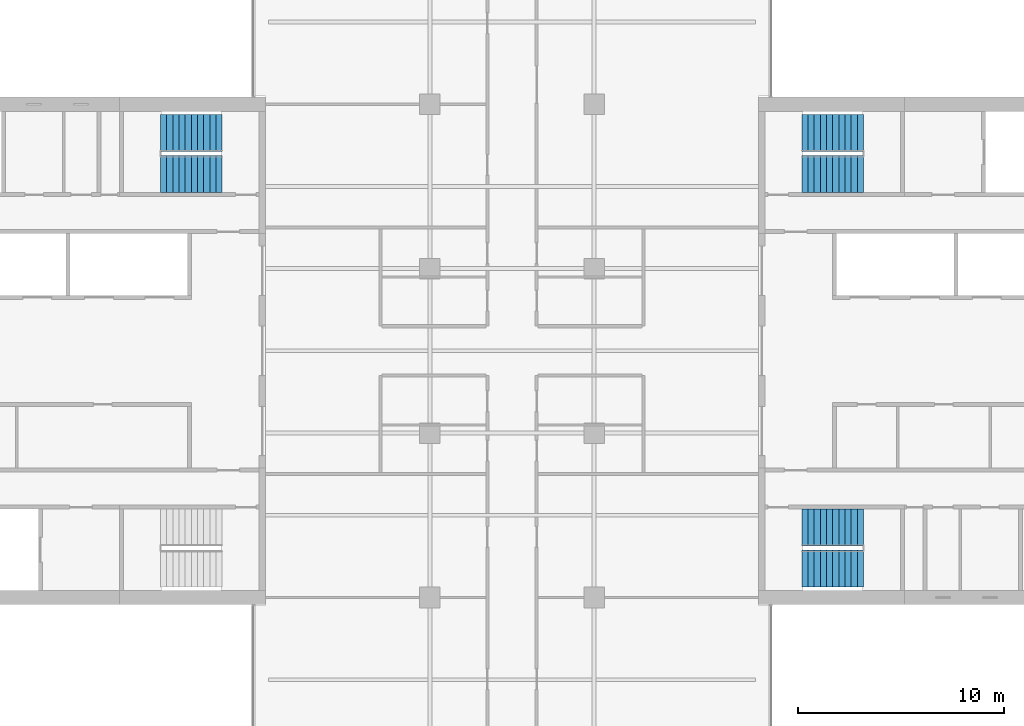
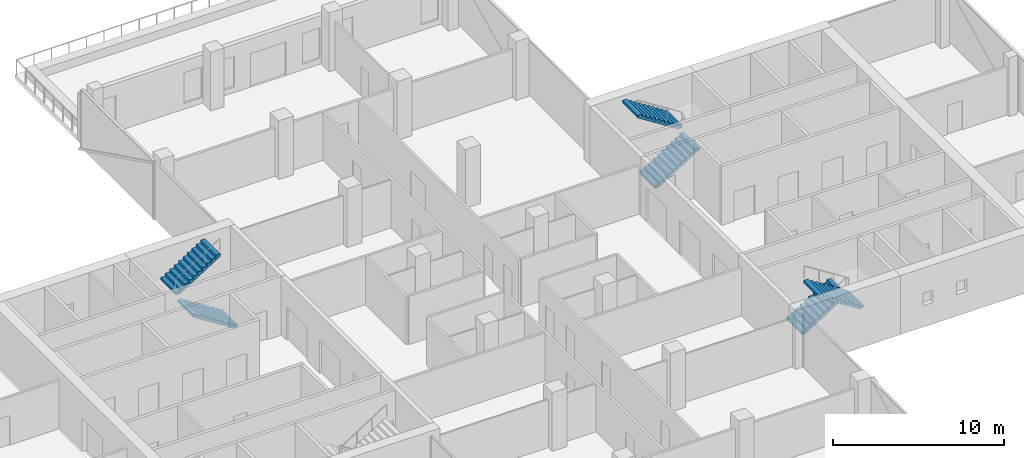
# One storey, part 20 of 24: 6 stair flights, 3 elements without a shape of their own.
"""IFC4 building model written with IfcOpenShell, lengths in metres."""

from ifc_helpers import new_model, si_unit, direction, frame, origin, place, context, subcontext, project, spatial, polyline, outline, extrude, material, type_object, element, aggregate, save


model = new_model("IFC4")

# Units and contexts
model_context = context("Model", 3, precision=1e-05, world=origin(), true_north=direction((0.0, 1.0)))
body_context = subcontext(model_context, "Body", "Model", "MODEL_VIEW")
ifc_project = project(units=[si_unit("LENGTHUNIT", "METRE"), si_unit("AREAUNIT", "SQUARE_METRE"), si_unit("VOLUMEUNIT", "CUBIC_METRE"), si_unit("PLANEANGLEUNIT", "RADIAN"), si_unit("MASSUNIT", "GRAM", prefix="KILO")], contexts=[model_context])

# Site, building, storey
site_placement = place(None, origin())
site = spatial("IfcSite", under=ifc_project, at=site_placement, CompositionType="ELEMENT")
building_placement = place(site_placement, origin())
building = spatial("IfcBuilding", under=site, at=building_placement, Name="Crosswind Convention Tower", CompositionType="ELEMENT")
storey_placement = place(building_placement, frame((0.0, 0.0, 112.699951171875)))
storey = spatial("IfcBuildingStorey", under=building, at=storey_placement, Name="L22", CompositionType="ELEMENT", Elevation=112.699951171875)

# Stair, stair flights
ifc_material = material(Name="Concrete C40/50", Category="concrete")
stair_type = type_object("IfcStairType", Name="Exit stair 1800 wide, 2 flights of 11 risers", PredefinedType="HALF_TURN_STAIR", material=ifc_material)
stair_1_placement = place(storey_placement, origin())
stair_1 = element("IfcStair", 1, at=stair_1_placement, inside=storey, type_object=stair_type, Name="Exit stair ST1 L22", ObjectType="ST5", PredefinedType="HALF_TURN_STAIR")
stair_flight_type = type_object("IfcStairFlightType", Name="Stair flight 1800 wide, 11 risers (SF4)", PredefinedType="STRAIGHT", material=ifc_material)
stair_flight_1_placement = place(storey_placement, frame((139.10009765625, 108.60009765625, 0.0), z_axis=(0.0, 0.0, 1.0), x_axis=(1.0, 0.0, 0.0)))
stair_flight_1 = element("IfcStairFlight", 2, at=stair_flight_1_placement, type_object=stair_flight_type, Name="ST1 flight 1", NumberOfRisers=11, NumberOfTreads=10, PredefinedType="STRAIGHT", RiserHeight=0.190909091, TreadLength=0.3, context=body_context, shape_type="SweptSolid", body=[
    extrude(outline(polyline([(0.0, 0.0), (0.0, 0.19091796875), (0.300048828125, 0.19091796875), (0.300048828125, 0.3818359375), (0.60009765625, 0.3818359375), (0.60009765625, 0.57275390625), (0.89990234375, 0.57275390625), (0.89990234375, 0.763671875), (1.199951171875, 0.763671875), (1.199951171875, 0.95458984375), (1.5, 0.95458984375), (1.5, 1.1455078125), (1.800048828125, 1.1455078125), (1.800048828125, 1.33642578125), (2.10009765625, 1.33642578125), (2.10009765625, 1.52734375), (2.39990234375, 1.52734375), (2.39990234375, 1.71826171875), (2.699951171875, 1.71826171875), (2.699951171875, 1.9091796875), (3.0, 1.9091796875), (3.0, 2.10009765625), (3.0, 1.7314453125), (0.279296875, 0.0), (0.0, 0.0)])), frame((0.0, 0.89990234375, 0.0), z_axis=(0.0, -1.0, 0.0), x_axis=(1.0, 0.0, 0.0)), (0.0, 0.0, 1.0), 1.800048828125),
])
stair_flight_2_placement = place(storey_placement, frame((142.10009765625, 110.60009765625, 2.10009765625), z_axis=(0.0, 0.0, 1.0), x_axis=(-1.0, 0.0, 0.0)))
stair_flight_2 = element("IfcStairFlight", 3, at=stair_flight_2_placement, type_object=stair_flight_type, Name="ST1 flight 2", NumberOfRisers=11, NumberOfTreads=10, PredefinedType="STRAIGHT", RiserHeight=0.190909091, TreadLength=0.3, context=body_context, shape_type="SweptSolid", body=[
    extrude(outline(polyline([(0.0, 0.0), (0.0, 0.19091796875), (0.300048828125, 0.19091796875), (0.300048828125, 0.3818359375), (0.60009765625, 0.3818359375), (0.60009765625, 0.57275390625), (0.89990234375, 0.57275390625), (0.89990234375, 0.763671875), (1.199951171875, 0.763671875), (1.199951171875, 0.95458984375), (1.5, 0.95458984375), (1.5, 1.1455078125), (1.800048828125, 1.1455078125), (1.800048828125, 1.33642578125), (2.10009765625, 1.33642578125), (2.10009765625, 1.52734375), (2.39990234375, 1.52734375), (2.39990234375, 1.71826171875), (2.699951171875, 1.71826171875), (2.699951171875, 1.9091796875), (3.0, 1.9091796875), (3.0, 2.10009765625), (3.0, 1.7314453125), (0.279296875, 0.0), (0.0, 0.0)])), frame((0.0, 0.89990234375, 0.0), z_axis=(0.0, -1.0, 0.0), x_axis=(1.0, 0.0, 0.0)), (0.0, 0.0, 1.0), 1.800048828125),
])
aggregate(stair_1, [stair_flight_1, stair_flight_2])

stair_2_placement = place(storey_placement, origin())
stair_2 = element("IfcStair", 4, at=stair_2_placement, inside=storey, type_object=stair_type, Name="Exit stair ST2 L22", ObjectType="ST5", PredefinedType="HALF_TURN_STAIR")
stair_flight_3_placement = place(storey_placement, frame((139.10009765625, 91.39990234375, 0.0), z_axis=(0.0, 0.0, 1.0), x_axis=(1.0, 0.0, 0.0)))
stair_flight_3 = element("IfcStairFlight", 5, at=stair_flight_3_placement, type_object=stair_flight_type, Name="ST2 flight 1", NumberOfRisers=11, NumberOfTreads=10, PredefinedType="STRAIGHT", RiserHeight=0.190909091, TreadLength=0.3, context=body_context, shape_type="SweptSolid", body=[
    extrude(outline(polyline([(0.0, 0.0), (0.0, 0.19091796875), (0.300048828125, 0.19091796875), (0.300048828125, 0.3818359375), (0.60009765625, 0.3818359375), (0.60009765625, 0.57275390625), (0.89990234375, 0.57275390625), (0.89990234375, 0.763671875), (1.199951171875, 0.763671875), (1.199951171875, 0.95458984375), (1.5, 0.95458984375), (1.5, 1.1455078125), (1.800048828125, 1.1455078125), (1.800048828125, 1.33642578125), (2.10009765625, 1.33642578125), (2.10009765625, 1.52734375), (2.39990234375, 1.52734375), (2.39990234375, 1.71826171875), (2.699951171875, 1.71826171875), (2.699951171875, 1.9091796875), (3.0, 1.9091796875), (3.0, 2.10009765625), (3.0, 1.7314453125), (0.279296875, 0.0), (0.0, 0.0)])), frame((0.0, 0.89990234375, 0.0), z_axis=(0.0, -1.0, 0.0), x_axis=(1.0, 0.0, 0.0)), (0.0, 0.0, 1.0), 1.800048828125),
])
stair_flight_4_placement = place(storey_placement, frame((142.10009765625, 89.39990234375, 2.10009765625), z_axis=(0.0, 0.0, 1.0), x_axis=(-1.0, 0.0, 0.0)))
stair_flight_4 = element("IfcStairFlight", 6, at=stair_flight_4_placement, type_object=stair_flight_type, Name="ST2 flight 2", NumberOfRisers=11, NumberOfTreads=10, PredefinedType="STRAIGHT", RiserHeight=0.190909091, TreadLength=0.3, context=body_context, shape_type="SweptSolid", body=[
    extrude(outline(polyline([(0.0, 0.0), (0.0, 0.19091796875), (0.300048828125, 0.19091796875), (0.300048828125, 0.3818359375), (0.60009765625, 0.3818359375), (0.60009765625, 0.57275390625), (0.89990234375, 0.57275390625), (0.89990234375, 0.763671875), (1.199951171875, 0.763671875), (1.199951171875, 0.95458984375), (1.5, 0.95458984375), (1.5, 1.1455078125), (1.800048828125, 1.1455078125), (1.800048828125, 1.33642578125), (2.10009765625, 1.33642578125), (2.10009765625, 1.52734375), (2.39990234375, 1.52734375), (2.39990234375, 1.71826171875), (2.699951171875, 1.71826171875), (2.699951171875, 1.9091796875), (3.0, 1.9091796875), (3.0, 2.10009765625), (3.0, 1.7314453125), (0.279296875, 0.0), (0.0, 0.0)])), frame((0.0, 0.89990234375, 0.0), z_axis=(0.0, -1.0, 0.0), x_axis=(1.0, 0.0, 0.0)), (0.0, 0.0, 1.0), 1.800048828125),
])
aggregate(stair_2, [stair_flight_3, stair_flight_4])

stair_3_placement = place(storey_placement, origin())
stair_3 = element("IfcStair", 7, at=stair_3_placement, inside=storey, type_object=stair_type, Name="Exit stair ST4 L22", ObjectType="ST5", PredefinedType="HALF_TURN_STAIR")
stair_flight_5_placement = place(storey_placement, frame((110.89990234375, 108.60009765625, 0.0), z_axis=(0.0, 0.0, 1.0), x_axis=(-1.0, 0.0, 0.0)))
stair_flight_5 = element("IfcStairFlight", 8, at=stair_flight_5_placement, type_object=stair_flight_type, Name="ST4 flight 1", NumberOfRisers=11, NumberOfTreads=10, PredefinedType="STRAIGHT", RiserHeight=0.190909091, TreadLength=0.3, context=body_context, shape_type="SweptSolid", body=[
    extrude(outline(polyline([(0.0, 0.0), (0.0, 0.19091796875), (0.300048828125, 0.19091796875), (0.300048828125, 0.3818359375), (0.60009765625, 0.3818359375), (0.60009765625, 0.57275390625), (0.89990234375, 0.57275390625), (0.89990234375, 0.763671875), (1.199951171875, 0.763671875), (1.199951171875, 0.95458984375), (1.5, 0.95458984375), (1.5, 1.1455078125), (1.800048828125, 1.1455078125), (1.800048828125, 1.33642578125), (2.10009765625, 1.33642578125), (2.10009765625, 1.52734375), (2.39990234375, 1.52734375), (2.39990234375, 1.71826171875), (2.699951171875, 1.71826171875), (2.699951171875, 1.9091796875), (3.0, 1.9091796875), (3.0, 2.10009765625), (3.0, 1.7314453125), (0.279296875, 0.0), (0.0, 0.0)])), frame((0.0, 0.89990234375, 0.0), z_axis=(0.0, -1.0, 0.0), x_axis=(1.0, 0.0, 0.0)), (0.0, 0.0, 1.0), 1.800048828125),
])
stair_flight_6_placement = place(storey_placement, frame((107.89990234375, 110.60009765625, 2.10009765625), z_axis=(0.0, 0.0, 1.0), x_axis=(1.0, 0.0, 0.0)))
stair_flight_6 = element("IfcStairFlight", 9, at=stair_flight_6_placement, type_object=stair_flight_type, Name="ST4 flight 2", NumberOfRisers=11, NumberOfTreads=10, PredefinedType="STRAIGHT", RiserHeight=0.190909091, TreadLength=0.3, context=body_context, shape_type="SweptSolid", body=[
    extrude(outline(polyline([(0.0, 0.0), (0.0, 0.19091796875), (0.300048828125, 0.19091796875), (0.300048828125, 0.3818359375), (0.60009765625, 0.3818359375), (0.60009765625, 0.57275390625), (0.89990234375, 0.57275390625), (0.89990234375, 0.763671875), (1.199951171875, 0.763671875), (1.199951171875, 0.95458984375), (1.5, 0.95458984375), (1.5, 1.1455078125), (1.800048828125, 1.1455078125), (1.800048828125, 1.33642578125), (2.10009765625, 1.33642578125), (2.10009765625, 1.52734375), (2.39990234375, 1.52734375), (2.39990234375, 1.71826171875), (2.699951171875, 1.71826171875), (2.699951171875, 1.9091796875), (3.0, 1.9091796875), (3.0, 2.10009765625), (3.0, 1.7314453125), (0.279296875, 0.0), (0.0, 0.0)])), frame((0.0, 0.89990234375, 0.0), z_axis=(0.0, -1.0, 0.0), x_axis=(1.0, 0.0, 0.0)), (0.0, 0.0, 1.0), 1.800048828125),
])
aggregate(stair_3, [stair_flight_5, stair_flight_6])

save(model, "model.ifc")
